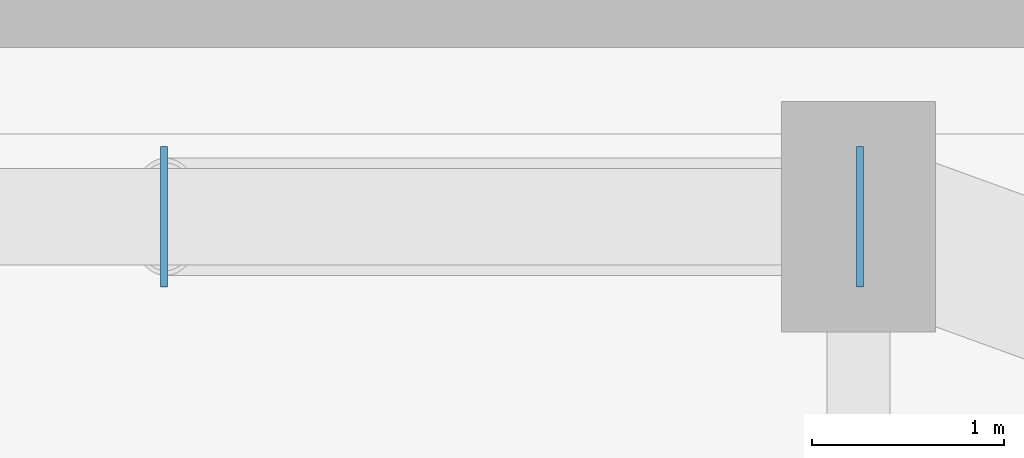
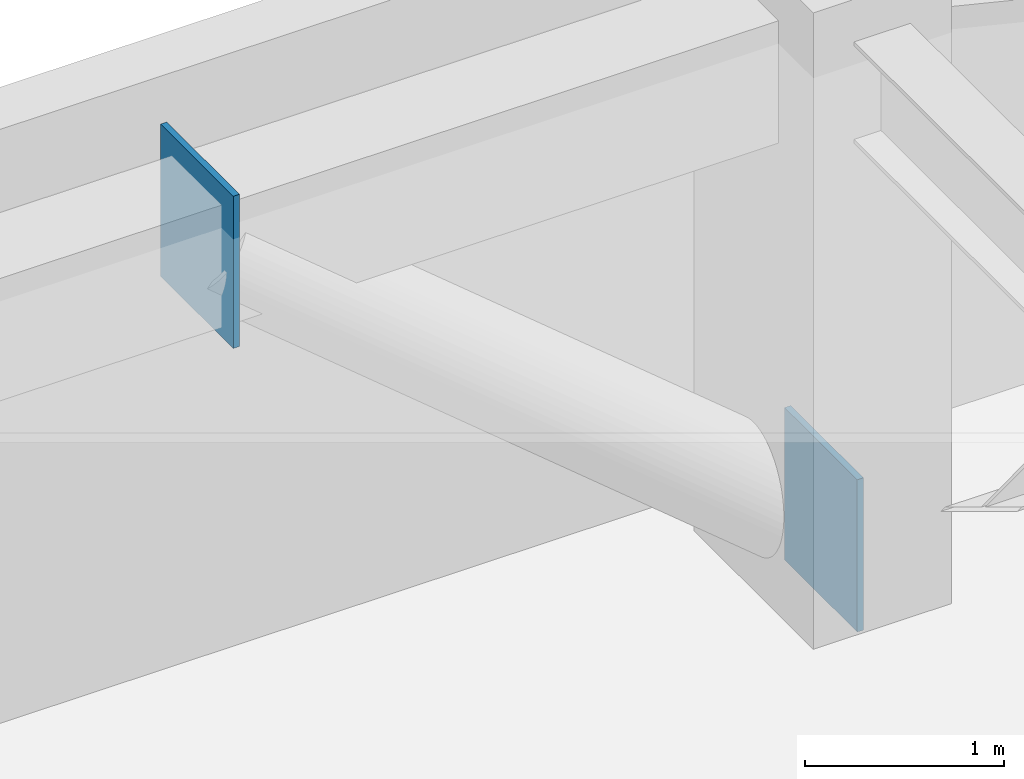
# One storey, part 17 of 24: 2 plates.
"""IFC4 building model written with IfcOpenShell, lengths in metres."""

from ifc_helpers import new_model, si_unit, direction, frame, origin, origin_2d, place, context, subcontext, project, spatial, rectangle, extrude, material, layer, layer_set, type_object, element, save


model = new_model("IFC4")

# Units and contexts
model_context = context("Model", 3, precision=1e-05, world=origin(), true_north=direction((0.0, 1.0)))
body_context = subcontext(model_context, "Body", "Model", "MODEL_VIEW")
ifc_project = project(units=[si_unit("LENGTHUNIT", "METRE"), si_unit("AREAUNIT", "SQUARE_METRE"), si_unit("VOLUMEUNIT", "CUBIC_METRE"), si_unit("PLANEANGLEUNIT", "RADIAN"), si_unit("MASSUNIT", "GRAM", prefix="KILO")], contexts=[model_context])

# Site, building, storey
site_placement = place(None, origin())
site = spatial("IfcSite", under=ifc_project, at=site_placement, CompositionType="ELEMENT")
building_placement = place(site_placement, origin())
building = spatial("IfcBuilding", under=site, at=building_placement, Name="Kiyonajd Concourse Tower", CompositionType="ELEMENT")
storey_placement = place(building_placement, frame((0.0, 0.0, 105.300048828125)))
storey = spatial("IfcBuildingStorey", under=building, at=storey_placement, Name="L27", CompositionType="ELEMENT", Elevation=105.300048828125)

# Plates
ifc_material = material(Name="Steel ASTM A572 Grade 50", Category="steel")
ifc_layer = layer(ifc_material, 0.028076171875)
ifc_layer_set = layer_set([ifc_layer], Name="Steel ASTM A572 Grade 50")
plate_type = type_object("IfcPlateType", Name="PL-CAP-450", PredefinedType="USERDEFINED", material=ifc_layer_set)
for number, where, z_axis, x_axis, name in (
    (1, (63.6083984375, 61.199951171875, -0.173583984375), (0.0, 0.0, 1.0), (1.0, 0.0, 0.0), "L27 Hollow Brace End Cap Plate PBN"),
    (2, (59.991455078125, 61.199951171875, 2.830322265625), (0.0, 0.0, 1.0), (-1.0, 0.0, 0.0), "L27 Hollow Brace Top Cap Plate PBN"),
):
    element("IfcPlate", number, at=place(storey_placement, frame(where, z_axis=z_axis, x_axis=x_axis)), inside=storey, type_object=plate_type, Name=name, ObjectType="CAP PLATE", PredefinedType="USERDEFINED", context=body_context, shape_type="SweptSolid", body=[
        extrude(rectangle(XDim=0.035888671875, YDim=0.72998046875, at=origin_2d()), origin(), (0.0, 0.0, 1.0), 0.93310546875),
    ])

save(model, "model.ifc")
